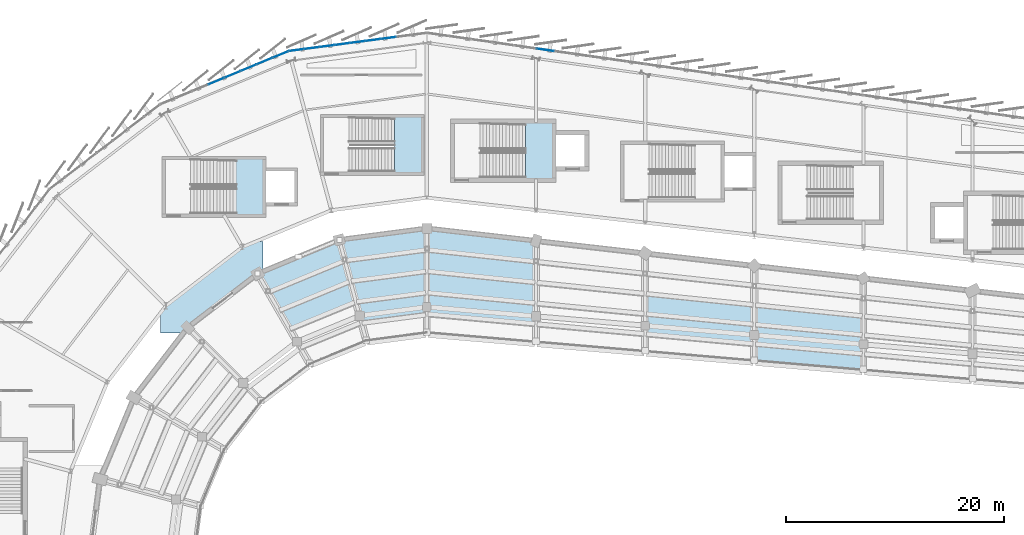
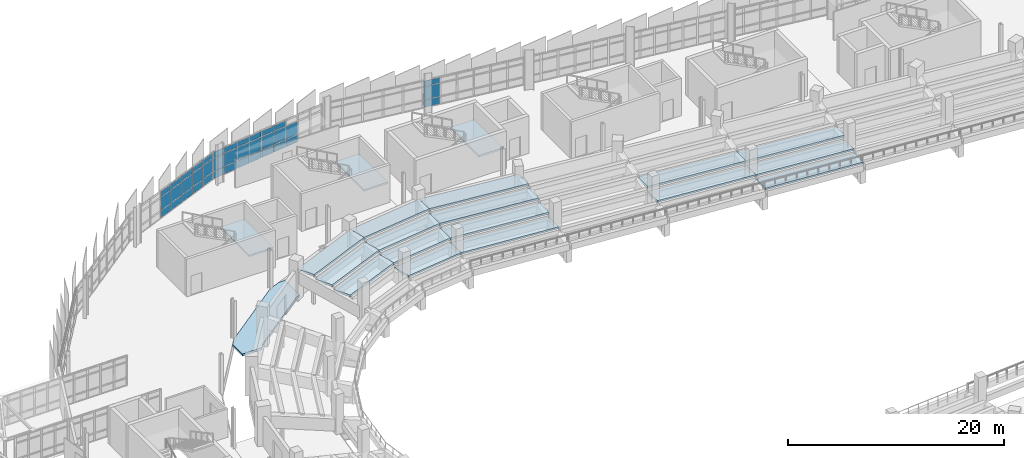
# One storey, part 85 of 120: 38 plates, 20 slabs, 6 elements without a shape of their own.
"""IFC4 building model written with IfcOpenShell, lengths in metres."""

from ifc_helpers import new_model, si_unit, direction, frame, origin, origin_2d, place, context, subcontext, project, spatial, polyline, rectangle, outline, extrude, material, layer, layer_set, type_object, element, aggregate, save


model = new_model("IFC4")

# Units and contexts
model_context = context("Model", 3, precision=1e-05, world=origin(), true_north=direction((0.0, 1.0)))
body_context = subcontext(model_context, "Body", "Model", "MODEL_VIEW")
ifc_project = project(units=[si_unit("LENGTHUNIT", "METRE"), si_unit("AREAUNIT", "SQUARE_METRE"), si_unit("VOLUMEUNIT", "CUBIC_METRE"), si_unit("PLANEANGLEUNIT", "RADIAN"), si_unit("MASSUNIT", "GRAM", prefix="KILO")], contexts=[model_context])

# Site, building, storey
site_placement = place(None, origin())
site = spatial("IfcSite", under=ifc_project, at=site_placement, CompositionType="ELEMENT")
building_placement = place(site_placement, origin())
building = spatial("IfcBuilding", under=site, at=building_placement, Name="Sohan Crest Arena", CompositionType="ELEMENT")
storey_placement = place(building_placement, frame((0.0, 0.0, 13.5)))
storey = spatial("IfcBuildingStorey", under=building, at=storey_placement, Name="L03", CompositionType="ELEMENT", Elevation=13.5)

# Curtain wall, plates
ifc_material_1 = material(Name="Thermally broken anodised aluminium", Category="aluminium")
ifc_layer_1 = layer(ifc_material_1, 0.179931640625, Name="Thermally broken anodised aluminium")
ifc_layer_set_1 = layer_set([ifc_layer_1], Name="Thermally broken anodised aluminium")
curtain_wall_type_1 = type_object("IfcCurtainWallType", Name="ARC-CW01", PredefinedType="NOTDEFINED", material=ifc_layer_set_1)
curtain_wall_1_placement = place(storey_placement, origin())
curtain_wall_1 = element("IfcCurtainWall", 1, at=curtain_wall_1_placement, inside=storey, type_object=curtain_wall_type_1, Name="Unitised curtain wall CW-080", PredefinedType="NOTDEFINED")
ifc_material_2 = material(Name="Low-E double-glazed insulated glass", Category="glass")
ifc_layer_2 = layer(ifc_material_2, 0.028076171875, Name="Low-E double-glazed insulated glass")
ifc_layer_set_2 = layer_set([ifc_layer_2], Name="Low-E double-glazed insulated glass")
plate_type_1 = type_object("IfcPlateType", Name="ARC-CNP01", PredefinedType="CURTAIN_PANEL", material=ifc_layer_set_2)
plate_1_placement = place(storey_placement, frame((94.484375, 126.437255859375, 0.06005859375), z_axis=(0.0, 0.0, 1.0), x_axis=(-0.991446828069, -0.130511252817, 0.0)))
plate_1 = element("IfcPlate", 2, at=plate_1_placement, type_object=plate_type_1, Name="CW-080 panel 3.1", PredefinedType="CURTAIN_PANEL", context=body_context, shape_type="SweptSolid", body=[
    extrude(rectangle(XDim=1.3583984375, YDim=0.028076171875, at=origin_2d()), origin(), (0.0, 0.0, 1.0), 0.81005859375),
])
plate_2_placement = place(storey_placement, frame((94.484375, 126.437255859375, 0.929931640625), z_axis=(0.0, 0.0, 1.0), x_axis=(-0.991446828069, -0.130511252817, 0.0)))
plate_2 = element("IfcPlate", 3, at=plate_2_placement, type_object=plate_type_1, Name="CW-080 panel 3.2", PredefinedType="CURTAIN_PANEL", context=body_context, shape_type="SweptSolid", body=[
    extrude(rectangle(XDim=1.3583984375, YDim=0.028076171875, at=origin_2d()), origin(), (0.0, 0.0, 1.0), 1.4599609375),
])
plate_3_placement = place(storey_placement, frame((93.078125, 126.252197265625, 0.06005859375), z_axis=(0.0, 0.0, 1.0), x_axis=(-0.991446828069, -0.130511252817, 0.0)))
plate_3 = element("IfcPlate", 4, at=plate_3_placement, type_object=plate_type_1, Name="CW-080 panel 4.1", PredefinedType="CURTAIN_PANEL", context=body_context, shape_type="SweptSolid", body=[
    extrude(rectangle(XDim=1.3583984375, YDim=0.028076171875, at=origin_2d()), origin(), (0.0, 0.0, 1.0), 0.81005859375),
])
plate_4_placement = place(storey_placement, frame((93.078125, 126.252197265625, 0.929931640625), z_axis=(0.0, 0.0, 1.0), x_axis=(-0.991446828069, -0.130511252817, 0.0)))
plate_4 = element("IfcPlate", 5, at=plate_4_placement, type_object=plate_type_1, Name="CW-080 panel 4.2", PredefinedType="CURTAIN_PANEL", context=body_context, shape_type="SweptSolid", body=[
    extrude(rectangle(XDim=1.3583984375, YDim=0.028076171875, at=origin_2d()), origin(), (0.0, 0.0, 1.0), 1.4599609375),
])
plate_5_placement = place(storey_placement, frame((93.078125, 126.252197265625, 2.44970703125), z_axis=(0.0, 0.0, 1.0), x_axis=(-0.991446828069, -0.130511252817, 0.0)))
plate_5 = element("IfcPlate", 6, at=plate_5_placement, type_object=plate_type_1, Name="CW-080 panel 4.3", PredefinedType="CURTAIN_PANEL", context=body_context, shape_type="SweptSolid", body=[
    extrude(rectangle(XDim=1.3583984375, YDim=0.028076171875, at=origin_2d()), origin(), (0.0, 0.0, 1.0), 0.610107421875),
])
plate_6_placement = place(storey_placement, frame((91.672119140625, 126.06689453125, 0.06005859375), z_axis=(0.0, 0.0, 1.0), x_axis=(-0.991446828069, -0.130511252817, 0.0)))
plate_6 = element("IfcPlate", 7, at=plate_6_placement, type_object=plate_type_1, Name="CW-080 panel 5.1", PredefinedType="CURTAIN_PANEL", context=body_context, shape_type="SweptSolid", body=[
    extrude(rectangle(XDim=1.3583984375, YDim=0.028076171875, at=origin_2d()), origin(), (0.0, 0.0, 1.0), 0.81005859375),
])
plate_7_placement = place(storey_placement, frame((91.672119140625, 126.06689453125, 0.929931640625), z_axis=(0.0, 0.0, 1.0), x_axis=(-0.991446828069, -0.130511252817, 0.0)))
plate_7 = element("IfcPlate", 8, at=plate_7_placement, type_object=plate_type_1, Name="CW-080 panel 5.2", PredefinedType="CURTAIN_PANEL", context=body_context, shape_type="SweptSolid", body=[
    extrude(rectangle(XDim=1.3583984375, YDim=0.028076171875, at=origin_2d()), origin(), (0.0, 0.0, 1.0), 1.4599609375),
])
plate_8_placement = place(storey_placement, frame((91.672119140625, 126.06689453125, 2.44970703125), z_axis=(0.0, 0.0, 1.0), x_axis=(-0.991446828069, -0.130511252817, 0.0)))
plate_8 = element("IfcPlate", 9, at=plate_8_placement, type_object=plate_type_1, Name="CW-080 panel 5.3", PredefinedType="CURTAIN_PANEL", context=body_context, shape_type="SweptSolid", body=[
    extrude(rectangle(XDim=1.3583984375, YDim=0.028076171875, at=origin_2d()), origin(), (0.0, 0.0, 1.0), 0.610107421875),
])
plate_9_placement = place(storey_placement, frame((90.265869140625, 125.8818359375, 0.06005859375), z_axis=(0.0, 0.0, 1.0), x_axis=(-0.991446828069, -0.130511252817, 0.0)))
plate_9 = element("IfcPlate", 10, at=plate_9_placement, type_object=plate_type_1, Name="CW-080 panel 6.1", PredefinedType="CURTAIN_PANEL", context=body_context, shape_type="SweptSolid", body=[
    extrude(rectangle(XDim=1.3583984375, YDim=0.028076171875, at=origin_2d()), origin(), (0.0, 0.0, 1.0), 0.81005859375),
])
plate_10_placement = place(storey_placement, frame((90.265869140625, 125.8818359375, 0.929931640625), z_axis=(0.0, 0.0, 1.0), x_axis=(-0.991446828069, -0.130511252817, 0.0)))
plate_10 = element("IfcPlate", 11, at=plate_10_placement, type_object=plate_type_1, Name="CW-080 panel 6.2", PredefinedType="CURTAIN_PANEL", context=body_context, shape_type="SweptSolid", body=[
    extrude(rectangle(XDim=1.3583984375, YDim=0.028076171875, at=origin_2d()), origin(), (0.0, 0.0, 1.0), 1.4599609375),
])
plate_11_placement = place(storey_placement, frame((90.265869140625, 125.8818359375, 2.44970703125), z_axis=(0.0, 0.0, 1.0), x_axis=(-0.991446828069, -0.130511252817, 0.0)))
plate_11 = element("IfcPlate", 12, at=plate_11_placement, type_object=plate_type_1, Name="CW-080 panel 6.3", PredefinedType="CURTAIN_PANEL", context=body_context, shape_type="SweptSolid", body=[
    extrude(rectangle(XDim=1.3583984375, YDim=0.028076171875, at=origin_2d()), origin(), (0.0, 0.0, 1.0), 0.610107421875),
])
plate_12_placement = place(storey_placement, frame((88.859619140625, 125.69677734375, 0.06005859375), z_axis=(0.0, 0.0, 1.0), x_axis=(-0.991446828069, -0.130511252817, 0.0)))
plate_12 = element("IfcPlate", 13, at=plate_12_placement, type_object=plate_type_1, Name="CW-080 panel 7.1", PredefinedType="CURTAIN_PANEL", context=body_context, shape_type="SweptSolid", body=[
    extrude(rectangle(XDim=1.3583984375, YDim=0.028076171875, at=origin_2d()), origin(), (0.0, 0.0, 1.0), 0.81005859375),
])
plate_13_placement = place(storey_placement, frame((88.859619140625, 125.69677734375, 0.929931640625), z_axis=(0.0, 0.0, 1.0), x_axis=(-0.991446828069, -0.130511252817, 0.0)))
plate_13 = element("IfcPlate", 14, at=plate_13_placement, type_object=plate_type_1, Name="CW-080 panel 7.2", PredefinedType="CURTAIN_PANEL", context=body_context, shape_type="SweptSolid", body=[
    extrude(rectangle(XDim=1.3583984375, YDim=0.028076171875, at=origin_2d()), origin(), (0.0, 0.0, 1.0), 1.4599609375),
])
plate_14_placement = place(storey_placement, frame((88.859619140625, 125.69677734375, 2.44970703125), z_axis=(0.0, 0.0, 1.0), x_axis=(-0.991446828069, -0.130511252817, 0.0)))
plate_14 = element("IfcPlate", 15, at=plate_14_placement, type_object=plate_type_1, Name="CW-080 panel 7.3", PredefinedType="CURTAIN_PANEL", context=body_context, shape_type="SweptSolid", body=[
    extrude(rectangle(XDim=1.3583984375, YDim=0.028076171875, at=origin_2d()), origin(), (0.0, 0.0, 1.0), 0.610107421875),
])
plate_15_placement = place(storey_placement, frame((87.453369140625, 125.51171875, 0.06005859375), z_axis=(0.0, 0.0, 1.0), x_axis=(-0.991446828069, -0.130511252817, 0.0)))
plate_15 = element("IfcPlate", 16, at=plate_15_placement, type_object=plate_type_1, Name="CW-080 panel 8.1", PredefinedType="CURTAIN_PANEL", context=body_context, shape_type="SweptSolid", body=[
    extrude(rectangle(XDim=1.3583984375, YDim=0.028076171875, at=origin_2d()), origin(), (0.0, 0.0, 1.0), 0.81005859375),
])
plate_16_placement = place(storey_placement, frame((87.453369140625, 125.51171875, 0.929931640625), z_axis=(0.0, 0.0, 1.0), x_axis=(-0.991446828069, -0.130511252817, 0.0)))
plate_16 = element("IfcPlate", 17, at=plate_16_placement, type_object=plate_type_1, Name="CW-080 panel 8.2", PredefinedType="CURTAIN_PANEL", context=body_context, shape_type="SweptSolid", body=[
    extrude(rectangle(XDim=1.3583984375, YDim=0.028076171875, at=origin_2d()), origin(), (0.0, 0.0, 1.0), 1.4599609375),
])
plate_17_placement = place(storey_placement, frame((87.453369140625, 125.51171875, 2.44970703125), z_axis=(0.0, 0.0, 1.0), x_axis=(-0.991446828069, -0.130511252817, 0.0)))
plate_17 = element("IfcPlate", 18, at=plate_17_placement, type_object=plate_type_1, Name="CW-080 panel 8.3", PredefinedType="CURTAIN_PANEL", context=body_context, shape_type="SweptSolid", body=[
    extrude(rectangle(XDim=1.3583984375, YDim=0.028076171875, at=origin_2d()), origin(), (0.0, 0.0, 1.0), 0.610107421875),
])
plate_18_placement = place(storey_placement, frame((86.06201171875, 125.32861328125, 0.06005859375), z_axis=(0.0, 0.0, 1.0), x_axis=(-0.991446828069, -0.130511252817, 0.0)))
plate_18 = element("IfcPlate", 19, at=plate_18_placement, type_object=plate_type_1, Name="CW-080 panel 9.1", PredefinedType="CURTAIN_PANEL", context=body_context, shape_type="SweptSolid", body=[
    extrude(rectangle(XDim=1.328369140625, YDim=0.028076171875, at=origin_2d()), origin(), (0.0, 0.0, 1.0), 0.81005859375),
])
plate_19_placement = place(storey_placement, frame((86.06201171875, 125.32861328125, 0.929931640625), z_axis=(0.0, 0.0, 1.0), x_axis=(-0.991446828069, -0.130511252817, 0.0)))
plate_19 = element("IfcPlate", 20, at=plate_19_placement, type_object=plate_type_1, Name="CW-080 panel 9.2", PredefinedType="CURTAIN_PANEL", context=body_context, shape_type="SweptSolid", body=[
    extrude(rectangle(XDim=1.328369140625, YDim=0.028076171875, at=origin_2d()), origin(), (0.0, 0.0, 1.0), 1.4599609375),
])
plate_20_placement = place(storey_placement, frame((86.06201171875, 125.32861328125, 2.44970703125), z_axis=(0.0, 0.0, 1.0), x_axis=(-0.991446828069, -0.130511252817, 0.0)))
plate_20 = element("IfcPlate", 21, at=plate_20_placement, type_object=plate_type_1, Name="CW-080 panel 9.3", PredefinedType="CURTAIN_PANEL", context=body_context, shape_type="SweptSolid", body=[
    extrude(rectangle(XDim=1.328369140625, YDim=0.028076171875, at=origin_2d()), origin(), (0.0, 0.0, 1.0), 0.610107421875),
])
aggregate(curtain_wall_1, [plate_1, plate_2, plate_3, plate_4, plate_5, plate_6, plate_7, plate_8, plate_9, plate_10, plate_11, plate_12, plate_13, plate_14, plate_15, plate_16, plate_17, plate_18, plate_19, plate_20])

ifc_layer_3 = layer(ifc_material_1, 0.219970703125, Name="Thermally broken anodised aluminium")
ifc_layer_set_3 = layer_set([ifc_layer_3], Name="Thermally broken anodised aluminium")
curtain_wall_type_2 = type_object("IfcCurtainWallType", Name="ARC-CW03", PredefinedType="NOTDEFINED", material=ifc_layer_set_3)
curtain_wall_2_placement = place(storey_placement, origin())
curtain_wall_2 = element("IfcCurtainWall", 22, at=curtain_wall_2_placement, inside=storey, type_object=curtain_wall_type_2, Name="Unitised curtain wall CW-110", PredefinedType="NOTDEFINED")
plate_21_placement = place(storey_placement, frame((108.84814453125, 125.349853515625, 0.070068359375), z_axis=(0.0, 0.0, 1.0), x_axis=(-0.989957411768, 0.141365918403, 0.0)))
plate_21 = element("IfcPlate", 23, at=plate_21_placement, type_object=plate_type_1, Name="CW-110 panel 6.1", PredefinedType="CURTAIN_PANEL", context=body_context, shape_type="SweptSolid", body=[
    extrude(rectangle(XDim=1.593505859375, YDim=0.028076171875, at=origin_2d()), origin(), (0.0, 0.0, 1.0), 0.794921875),
])
plate_22_placement = place(storey_placement, frame((108.84814453125, 125.349853515625, 0.93505859375), z_axis=(0.0, 0.0, 1.0), x_axis=(-0.989957411768, 0.141365918403, 0.0)))
plate_22 = element("IfcPlate", 24, at=plate_22_placement, type_object=plate_type_1, Name="CW-110 panel 6.2", PredefinedType="CURTAIN_PANEL", context=body_context, shape_type="SweptSolid", body=[
    extrude(rectangle(XDim=1.593505859375, YDim=0.028076171875, at=origin_2d()), origin(), (0.0, 0.0, 1.0), 1.449951171875),
])
plate_23_placement = place(storey_placement, frame((108.84814453125, 125.349853515625, 2.455078125), z_axis=(0.0, 0.0, 1.0), x_axis=(-0.989957411768, 0.141365918403, 0.0)))
plate_23 = element("IfcPlate", 25, at=plate_23_placement, type_object=plate_type_1, Name="CW-110 panel 6.3", PredefinedType="CURTAIN_PANEL", context=body_context, shape_type="SweptSolid", body=[
    extrude(rectangle(XDim=1.593505859375, YDim=0.028076171875, at=origin_2d()), origin(), (0.0, 0.0, 1.0), 0.594970703125),
])
aggregate(curtain_wall_2, [plate_21, plate_22, plate_23])

ifc_layer_4 = layer(ifc_material_1, 0.199951171875, Name="Thermally broken anodised aluminium")
ifc_layer_set_4 = layer_set([ifc_layer_4], Name="Thermally broken anodised aluminium")
curtain_wall_type_3 = type_object("IfcCurtainWallType", Name="ARC-CW02", PredefinedType="NOTDEFINED", material=ifc_layer_set_4)
curtain_wall_3_placement = place(storey_placement, origin())
curtain_wall_3 = element("IfcCurtainWall", 26, at=curtain_wall_3_placement, inside=storey, type_object=curtain_wall_type_3, Name="Unitised curtain wall CW-081", PredefinedType="NOTDEFINED")
ifc_layer_5 = layer(ifc_material_2, 0.031982421875, Name="Low-E double-glazed insulated glass")
ifc_layer_set_5 = layer_set([ifc_layer_5], Name="Low-E double-glazed insulated glass")
plate_type_2 = type_object("IfcPlateType", Name="ARC-CNP02", PredefinedType="CURTAIN_PANEL", material=ifc_layer_set_5)
plate_24_placement = place(storey_placement, frame((84.591796875, 124.92236328125, 0.06494140625), z_axis=(0.0, 0.0, 1.0), x_axis=(-0.923886034074, -0.382667735827, 0.0)))
plate_24 = element("IfcPlate", 27, at=plate_24_placement, type_object=plate_type_2, Name="CW-081 panel 1.1", PredefinedType="CURTAIN_PANEL", context=body_context, shape_type="SweptSolid", body=[
    extrude(rectangle(XDim=1.498291015625, YDim=0.031982421875, at=origin_2d()), origin(), (0.0, 0.0, 1.0), 0.802490234375),
])
plate_25_placement = place(storey_placement, frame((84.591796875, 124.92236328125, 0.932373046875), z_axis=(0.0, 0.0, 1.0), x_axis=(-0.923886034074, -0.382667735827, 0.0)))
plate_25 = element("IfcPlate", 28, at=plate_25_placement, type_object=plate_type_2, Name="CW-081 panel 1.2", PredefinedType="CURTAIN_PANEL", context=body_context, shape_type="SweptSolid", body=[
    extrude(rectangle(XDim=1.498291015625, YDim=0.031982421875, at=origin_2d()), origin(), (0.0, 0.0, 1.0), 1.455078125),
])
plate_26_placement = place(storey_placement, frame((84.591796875, 124.92236328125, 2.452392578125), z_axis=(0.0, 0.0, 1.0), x_axis=(-0.923886034074, -0.382667735827, 0.0)))
plate_26 = element("IfcPlate", 29, at=plate_26_placement, type_object=plate_type_2, Name="CW-081 panel 1.3", PredefinedType="CURTAIN_PANEL", context=body_context, shape_type="SweptSolid", body=[
    extrude(rectangle(XDim=1.498291015625, YDim=0.031982421875, at=origin_2d()), origin(), (0.0, 0.0, 1.0), 0.6025390625),
])
plate_27_placement = place(storey_placement, frame((83.132568359375, 124.318115234375, 0.06494140625), z_axis=(0.0, 0.0, 1.0), x_axis=(-0.923886034074, -0.382667735827, 0.0)))
plate_27 = element("IfcPlate", 30, at=plate_27_placement, type_object=plate_type_2, Name="CW-081 panel 2.1", PredefinedType="CURTAIN_PANEL", context=body_context, shape_type="SweptSolid", body=[
    extrude(rectangle(XDim=1.53076171875, YDim=0.031982421875, at=origin_2d()), origin(), (0.0, 0.0, 1.0), 0.802490234375),
])
plate_28_placement = place(storey_placement, frame((83.132568359375, 124.318115234375, 0.932373046875), z_axis=(0.0, 0.0, 1.0), x_axis=(-0.923886034074, -0.382667735827, 0.0)))
plate_28 = element("IfcPlate", 31, at=plate_28_placement, type_object=plate_type_2, Name="CW-081 panel 2.2", PredefinedType="CURTAIN_PANEL", context=body_context, shape_type="SweptSolid", body=[
    extrude(rectangle(XDim=1.53076171875, YDim=0.031982421875, at=origin_2d()), origin(), (0.0, 0.0, 1.0), 1.455078125),
])
plate_29_placement = place(storey_placement, frame((83.132568359375, 124.318115234375, 2.452392578125), z_axis=(0.0, 0.0, 1.0), x_axis=(-0.923886034074, -0.382667735827, 0.0)))
plate_29 = element("IfcPlate", 32, at=plate_29_placement, type_object=plate_type_2, Name="CW-081 panel 2.3", PredefinedType="CURTAIN_PANEL", context=body_context, shape_type="SweptSolid", body=[
    extrude(rectangle(XDim=1.53076171875, YDim=0.031982421875, at=origin_2d()), origin(), (0.0, 0.0, 1.0), 0.6025390625),
])
plate_30_placement = place(storey_placement, frame((81.658447265625, 123.70751953125, 0.06494140625), z_axis=(0.0, 0.0, 1.0), x_axis=(-0.923886034074, -0.382667735827, 0.0)))
plate_30 = element("IfcPlate", 33, at=plate_30_placement, type_object=plate_type_2, Name="CW-081 panel 3.1", PredefinedType="CURTAIN_PANEL", context=body_context, shape_type="SweptSolid", body=[
    extrude(rectangle(XDim=1.53076171875, YDim=0.031982421875, at=origin_2d()), origin(), (0.0, 0.0, 1.0), 0.802490234375),
])
plate_31_placement = place(storey_placement, frame((81.658447265625, 123.70751953125, 0.932373046875), z_axis=(0.0, 0.0, 1.0), x_axis=(-0.923886034074, -0.382667735827, 0.0)))
plate_31 = element("IfcPlate", 34, at=plate_31_placement, type_object=plate_type_2, Name="CW-081 panel 3.2", PredefinedType="CURTAIN_PANEL", context=body_context, shape_type="SweptSolid", body=[
    extrude(rectangle(XDim=1.53076171875, YDim=0.031982421875, at=origin_2d()), origin(), (0.0, 0.0, 1.0), 1.455078125),
])
plate_32_placement = place(storey_placement, frame((81.658447265625, 123.70751953125, 2.452392578125), z_axis=(0.0, 0.0, 1.0), x_axis=(-0.923886034074, -0.382667735827, 0.0)))
plate_32 = element("IfcPlate", 35, at=plate_32_placement, type_object=plate_type_2, Name="CW-081 panel 3.3", PredefinedType="CURTAIN_PANEL", context=body_context, shape_type="SweptSolid", body=[
    extrude(rectangle(XDim=1.53076171875, YDim=0.031982421875, at=origin_2d()), origin(), (0.0, 0.0, 1.0), 0.6025390625),
])
plate_33_placement = place(storey_placement, frame((80.18408203125, 123.096923828125, 0.06494140625), z_axis=(0.0, 0.0, 1.0), x_axis=(-0.923886034074, -0.382667735827, 0.0)))
plate_33 = element("IfcPlate", 36, at=plate_33_placement, type_object=plate_type_2, Name="CW-081 panel 4.1", PredefinedType="CURTAIN_PANEL", context=body_context, shape_type="SweptSolid", body=[
    extrude(rectangle(XDim=1.53076171875, YDim=0.031982421875, at=origin_2d()), origin(), (0.0, 0.0, 1.0), 0.802490234375),
])
plate_34_placement = place(storey_placement, frame((80.18408203125, 123.096923828125, 0.932373046875), z_axis=(0.0, 0.0, 1.0), x_axis=(-0.923886034074, -0.382667735827, 0.0)))
plate_34 = element("IfcPlate", 37, at=plate_34_placement, type_object=plate_type_2, Name="CW-081 panel 4.2", PredefinedType="CURTAIN_PANEL", context=body_context, shape_type="SweptSolid", body=[
    extrude(rectangle(XDim=1.53076171875, YDim=0.031982421875, at=origin_2d()), origin(), (0.0, 0.0, 1.0), 1.455078125),
])
plate_35_placement = place(storey_placement, frame((80.18408203125, 123.096923828125, 2.452392578125), z_axis=(0.0, 0.0, 1.0), x_axis=(-0.923886034074, -0.382667735827, 0.0)))
plate_35 = element("IfcPlate", 38, at=plate_35_placement, type_object=plate_type_2, Name="CW-081 panel 4.3", PredefinedType="CURTAIN_PANEL", context=body_context, shape_type="SweptSolid", body=[
    extrude(rectangle(XDim=1.53076171875, YDim=0.031982421875, at=origin_2d()), origin(), (0.0, 0.0, 1.0), 0.6025390625),
])
plate_36_placement = place(storey_placement, frame((78.7099609375, 122.486083984375, 0.06494140625), z_axis=(0.0, 0.0, 1.0), x_axis=(-0.923886034074, -0.382667735827, 0.0)))
plate_36 = element("IfcPlate", 39, at=plate_36_placement, type_object=plate_type_2, Name="CW-081 panel 5.1", PredefinedType="CURTAIN_PANEL", context=body_context, shape_type="SweptSolid", body=[
    extrude(rectangle(XDim=1.53076171875, YDim=0.031982421875, at=origin_2d()), origin(), (0.0, 0.0, 1.0), 0.802490234375),
])
plate_37_placement = place(storey_placement, frame((78.7099609375, 122.486083984375, 0.932373046875), z_axis=(0.0, 0.0, 1.0), x_axis=(-0.923886034074, -0.382667735827, 0.0)))
plate_37 = element("IfcPlate", 40, at=plate_37_placement, type_object=plate_type_2, Name="CW-081 panel 5.2", PredefinedType="CURTAIN_PANEL", context=body_context, shape_type="SweptSolid", body=[
    extrude(rectangle(XDim=1.53076171875, YDim=0.031982421875, at=origin_2d()), origin(), (0.0, 0.0, 1.0), 1.455078125),
])
plate_38_placement = place(storey_placement, frame((78.7099609375, 122.486083984375, 2.452392578125), z_axis=(0.0, 0.0, 1.0), x_axis=(-0.923886034074, -0.382667735827, 0.0)))
plate_38 = element("IfcPlate", 41, at=plate_38_placement, type_object=plate_type_2, Name="CW-081 panel 5.3", PredefinedType="CURTAIN_PANEL", context=body_context, shape_type="SweptSolid", body=[
    extrude(rectangle(XDim=1.53076171875, YDim=0.031982421875, at=origin_2d()), origin(), (0.0, 0.0, 1.0), 0.6025390625),
])
aggregate(curtain_wall_3, [plate_24, plate_25, plate_26, plate_27, plate_28, plate_29, plate_30, plate_31, plate_32, plate_33, plate_34, plate_35, plate_36, plate_37, plate_38])

# Slab
ifc_material_3 = material(Name="Concrete C40/50", Category="concrete")
ifc_layer_6 = layer(ifc_material_3, 0.25, Name="Concrete C40/50")
ifc_layer_set_6 = layer_set([ifc_layer_6], Name="Concrete C40/50")
slab_type_1 = type_object("IfcSlabType", Name="SL-FLR3", PredefinedType="FLOOR", material=ifc_layer_set_6)
slab_1_placement = place(storey_placement, frame((0.0, 0.0, -0.25)))
element("IfcSlab", 42, at=slab_1_placement, inside=storey, type_object=slab_type_1, Name="Seismic joint threshold slab L03 SL-TH-L03-02", PredefinedType="FLOOR", context=body_context, shape_type="SweptSolid", body=[
    extrude(outline(polyline([(74.10009765625, 101.89990234375), (81.10009765625, 107.27197265625), (82.306884765625, 107.77197265625), (83.0, 107.77197265625), (83.0, 105.053955078125), (82.5, 104.846923828125), (76.080078125, 99.919921875), (75.696044921875, 99.419921875), (73.60009765625, 99.419921875), (73.60009765625, 101.248046875), (74.10009765625, 101.89990234375)])), origin(), (0.0, 0.0, 1.0), 0.25),
])

# Stair, slab
stair_type_1 = type_object("IfcStairType", Name="ST-450", PredefinedType="TWO_STRAIGHT_RUN_STAIR", material=ifc_material_3)
stair_1_placement = place(storey_placement, origin())
stair_1 = element("IfcStair", 43, at=stair_1_placement, inside=storey, type_object=stair_type_1, Name="Protected exit stair ST04-L03", PredefinedType="TWO_STRAIGHT_RUN_STAIR")
ifc_layer_7 = layer(ifc_material_3, 0.199951171875, Name="Concrete C40/50")
ifc_layer_set_7 = layer_set([ifc_layer_7], Name="Concrete C40/50")
slab_type_2 = type_object("IfcSlabType", Name="SL-LND1", PredefinedType="LANDING", material=ifc_layer_set_7)
slab_2_placement = place(storey_placement, frame((0.0, 0.0, 2.050048828125)))
slab_2 = element("IfcSlab", 44, at=slab_2_placement, type_object=slab_type_2, Name="ST04-L03 landing 1", PredefinedType="LANDING", context=body_context, shape_type="SweptSolid", body=[
    extrude(outline(polyline([(80.530029296875, 110.14990234375), (83.10009765625, 110.14990234375), (83.10009765625, 115.449951171875), (80.530029296875, 115.449951171875), (80.530029296875, 110.14990234375)])), origin(), (0.0, 0.0, 1.0), 0.199951171875),
])
aggregate(stair_1, [slab_2])

stair_2_placement = place(storey_placement, origin())
stair_2 = element("IfcStair", 45, at=stair_2_placement, inside=storey, type_object=stair_type_1, Name="Protected exit stair ST06-L03", PredefinedType="TWO_STRAIGHT_RUN_STAIR")
slab_3_placement = place(storey_placement, frame((0.0, 0.0, 2.050048828125)))
slab_3 = element("IfcSlab", 46, at=slab_3_placement, type_object=slab_type_2, Name="ST06-L03 landing 1", PredefinedType="LANDING", context=body_context, shape_type="SweptSolid", body=[
    extrude(outline(polyline([(107.030029296875, 113.449951171875), (109.60009765625, 113.449951171875), (109.60009765625, 118.75), (107.030029296875, 118.75), (107.030029296875, 113.449951171875)])), origin(), (0.0, 0.0, 1.0), 0.199951171875),
])
aggregate(stair_2, [slab_3])

stair_type_2 = type_object("IfcStairType", Name="ST-450W", PredefinedType="TWO_STRAIGHT_RUN_STAIR", material=ifc_material_3)
stair_3_placement = place(storey_placement, origin())
stair_3 = element("IfcStair", 47, at=stair_3_placement, inside=storey, type_object=stair_type_2, Name="Protected exit stair ST20-L03", PredefinedType="TWO_STRAIGHT_RUN_STAIR")
slab_4_placement = place(storey_placement, frame((0.0, 0.0, 2.050048828125)))
slab_4 = element("IfcSlab", 48, at=slab_4_placement, type_object=slab_type_2, Name="ST20-L03 landing 1", PredefinedType="LANDING", context=body_context, shape_type="SweptSolid", body=[
    extrude(outline(polyline([(95.030029296875, 113.989990234375), (97.60009765625, 113.989990234375), (97.60009765625, 119.2900390625), (95.030029296875, 119.2900390625), (95.030029296875, 113.989990234375)])), origin(), (0.0, 0.0, 1.0), 0.199951171875),
])
aggregate(stair_3, [slab_4])

# Slabs
ifc_material_4 = material(Name="Precast concrete C50/60", Category="concrete")
ifc_layer_8 = layer(ifc_material_4, 0.205078125, Name="Precast concrete C50/60")
ifc_layer_set_8 = layer_set([ifc_layer_8], Name="Precast concrete C50/60")
slab_type_3 = type_object("IfcSlabType", Name="SL-TIER2", PredefinedType="USERDEFINED", material=ifc_layer_set_8)
slab_5_placement = place(storey_placement, frame((0.0, 0.0, 1.6708984375)))
element("IfcSlab", 49, at=slab_5_placement, inside=storey, type_object=slab_type_3, Name="Upper cantilevered precast seating tier ST-UPP-007", ObjectType="SEATING TIER", PredefinedType="USERDEFINED", context=body_context, shape_type="SweptSolid", body=[
    extrude(outline(polyline([(98.0, 101.159912109375), (91.944091796875, 100.37109375), (91.471923828125, 102.18798828125), (98.0, 103.0419921875), (98.0, 101.159912109375)])), origin(), (0.0, 0.0, 1.0), 0.205078125),
])
slab_6_placement = place(storey_placement, frame((0.0, 0.0, 1.2109375)))
element("IfcSlab", 50, at=slab_6_placement, inside=storey, type_object=slab_type_3, Name="Upper cantilevered precast seating tier ST-UPP-231", ObjectType="SEATING TIER", PredefinedType="USERDEFINED", context=body_context, shape_type="SweptSolid", body=[
    extrude(outline(polyline([(138.0, 95.77099609375), (128.0, 96.62890625), (128.0, 98.345947265625), (138.0, 97.43310546875), (138.0, 95.77099609375)])), origin(), (0.0, 0.0, 1.0), 0.205078125),
])
slab_7_placement = place(storey_placement, frame((0.0, 0.0, 1.6708984375)))
element("IfcSlab", 51, at=slab_7_placement, inside=storey, type_object=slab_type_3, Name="Upper cantilevered precast seating tier ST-UPP-232", ObjectType="SEATING TIER", PredefinedType="USERDEFINED", context=body_context, shape_type="SweptSolid", body=[
    extrude(outline(polyline([(138.0, 97.5029296875), (128.0, 98.4169921875), (128.0, 100.134033203125), (138.0, 99.1650390625), (138.0, 97.5029296875)])), origin(), (0.0, 0.0, 1.0), 0.205078125),
])
slab_8_placement = place(storey_placement, frame((0.0, 0.0, 1.6708984375)))
element("IfcSlab", 52, at=slab_8_placement, inside=storey, type_object=slab_type_3, Name="Upper cantilevered precast seating tier ST-UPP-242", ObjectType="SEATING TIER", PredefinedType="USERDEFINED", context=body_context, shape_type="SweptSolid", body=[
    extrude(outline(polyline([(128.0, 98.4169921875), (118.0, 99.33203125), (118.0, 101.10302734375), (128.0, 100.134033203125), (128.0, 98.4169921875)])), origin(), (0.0, 0.0, 1.0), 0.205078125),
])
slab_9_placement = place(storey_placement, frame((0.0, 0.0, 1.6708984375)))
element("IfcSlab", 53, at=slab_9_placement, inside=storey, type_object=slab_type_3, Name="Upper cantilevered precast seating tier ST-UPP-262", ObjectType="SEATING TIER", PredefinedType="USERDEFINED", context=body_context, shape_type="SweptSolid", body=[
    extrude(outline(polyline([(108.0, 100.24609375), (98.0, 101.159912109375), (98.0, 103.0419921875), (108.0, 102.072021484375), (108.0, 100.24609375)])), origin(), (0.0, 0.0, 1.0), 0.205078125),
])
ifc_layer_9 = layer(ifc_material_4, 0.235107421875, Name="Precast concrete C50/60")
ifc_layer_set_9 = layer_set([ifc_layer_9], Name="Precast concrete C50/60")
slab_type_4 = type_object("IfcSlabType", Name="SL-TIER3", PredefinedType="USERDEFINED", material=ifc_layer_set_9)
slab_10_placement = place(storey_placement, frame((0.0, 0.0, 2.131103515625)))
element("IfcSlab", 54, at=slab_10_placement, inside=storey, type_object=slab_type_4, Name="Upper cantilevered precast seating tier ST-UPP-008", ObjectType="SEATING TIER", PredefinedType="USERDEFINED", context=body_context, shape_type="SweptSolid", body=[
    extrude(outline(polyline([(98.0, 103.1201171875), (91.451904296875, 102.263916015625), (90.97998046875, 104.08203125), (98.0, 105.001953125), (98.0, 103.1201171875)])), origin(), (0.0, 0.0, 1.0), 0.23486328125),
])
slab_11_placement = place(storey_placement, frame((0.0, 0.0, 2.591064453125)))
element("IfcSlab", 55, at=slab_11_placement, inside=storey, type_object=slab_type_4, Name="Upper cantilevered precast seating tier ST-UPP-009", ObjectType="SEATING TIER", PredefinedType="USERDEFINED", context=body_context, shape_type="SweptSolid", body=[
    extrude(outline(polyline([(98.0, 105.080078125), (90.9599609375, 104.156982421875), (90.488037109375, 105.97509765625), (98.0, 106.9619140625), (98.0, 105.080078125)])), origin(), (0.0, 0.0, 1.0), 0.23486328125),
])
slab_12_placement = place(storey_placement, frame((0.0, 0.0, 3.051025390625)))
element("IfcSlab", 56, at=slab_12_placement, inside=storey, type_object=slab_type_4, Name="Upper cantilevered precast seating tier ST-UPP-010", ObjectType="SEATING TIER", PredefinedType="USERDEFINED", context=body_context, shape_type="SweptSolid", body=[
    extrude(outline(polyline([(98.0, 107.0400390625), (90.468994140625, 106.051025390625), (89.9970703125, 107.867919921875), (98.0, 108.922119140625), (98.0, 107.0400390625)])), origin(), (0.0, 0.0, 1.0), 0.23486328125),
])
slab_13_placement = place(storey_placement, frame((0.0, 0.0, 2.131103515625)))
element("IfcSlab", 57, at=slab_13_placement, inside=storey, type_object=slab_type_4, Name="Upper cantilevered precast seating tier ST-UPP-018", ObjectType="SEATING TIER", PredefinedType="USERDEFINED", context=body_context, shape_type="SweptSolid", body=[
    extrude(outline(polyline([(91.451904296875, 102.263916015625), (85.35009765625, 99.75390625), (84.43798828125, 101.384033203125), (90.97998046875, 104.08203125), (91.451904296875, 102.263916015625)])), origin(), (0.0, 0.0, 1.0), 0.23486328125),
])
slab_14_placement = place(storey_placement, frame((0.0, 0.0, 2.591064453125)))
element("IfcSlab", 58, at=slab_14_placement, inside=storey, type_object=slab_type_4, Name="Upper cantilevered precast seating tier ST-UPP-019", ObjectType="SEATING TIER", PredefinedType="USERDEFINED", context=body_context, shape_type="SweptSolid", body=[
    extrude(outline(polyline([(90.9599609375, 104.156982421875), (84.39990234375, 101.451904296875), (83.488037109375, 103.08203125), (90.488037109375, 105.97509765625), (90.9599609375, 104.156982421875)])), origin(), (0.0, 0.0, 1.0), 0.23486328125),
])
slab_15_placement = place(storey_placement, frame((0.0, 0.0, 3.051025390625)))
element("IfcSlab", 59, at=slab_15_placement, inside=storey, type_object=slab_type_4, Name="Upper cantilevered precast seating tier ST-UPP-020", ObjectType="SEATING TIER", PredefinedType="USERDEFINED", context=body_context, shape_type="SweptSolid", body=[
    extrude(outline(polyline([(90.468994140625, 106.051025390625), (83.449951171875, 103.14892578125), (82.5380859375, 104.779052734375), (89.9970703125, 107.867919921875), (90.468994140625, 106.051025390625)])), origin(), (0.0, 0.0, 1.0), 0.23486328125),
])
slab_16_placement = place(storey_placement, frame((0.0, 0.0, 2.131103515625)))
element("IfcSlab", 60, at=slab_16_placement, inside=storey, type_object=slab_type_4, Name="Upper cantilevered precast seating tier ST-UPP-233", ObjectType="SEATING TIER", PredefinedType="USERDEFINED", context=body_context, shape_type="SweptSolid", body=[
    extrude(outline(polyline([(138.0, 99.23388671875), (128.0, 100.2060546875), (128.0, 101.923095703125), (138.0, 100.89697265625), (138.0, 99.23388671875)])), origin(), (0.0, 0.0, 1.0), 0.23486328125),
])
slab_17_placement = place(storey_placement, frame((0.0, 0.0, 2.131103515625)))
element("IfcSlab", 61, at=slab_17_placement, inside=storey, type_object=slab_type_4, Name="Upper cantilevered precast seating tier ST-UPP-243", ObjectType="SEATING TIER", PredefinedType="USERDEFINED", context=body_context, shape_type="SweptSolid", body=[
    extrude(outline(polyline([(128.0, 100.2060546875), (118.0, 101.177001953125), (118.0, 102.948974609375), (128.0, 101.923095703125), (128.0, 100.2060546875)])), origin(), (0.0, 0.0, 1.0), 0.23486328125),
])
slab_18_placement = place(storey_placement, frame((0.0, 0.0, 2.131103515625)))
element("IfcSlab", 62, at=slab_18_placement, inside=storey, type_object=slab_type_4, Name="Upper cantilevered precast seating tier ST-UPP-263", ObjectType="SEATING TIER", PredefinedType="USERDEFINED", context=body_context, shape_type="SweptSolid", body=[
    extrude(outline(polyline([(108.0, 102.14892578125), (98.0, 103.1201171875), (98.0, 105.001953125), (108.0, 103.97509765625), (108.0, 102.14892578125)])), origin(), (0.0, 0.0, 1.0), 0.23486328125),
])
slab_19_placement = place(storey_placement, frame((0.0, 0.0, 2.591064453125)))
element("IfcSlab", 63, at=slab_19_placement, inside=storey, type_object=slab_type_4, Name="Upper cantilevered precast seating tier ST-UPP-264", ObjectType="SEATING TIER", PredefinedType="USERDEFINED", context=body_context, shape_type="SweptSolid", body=[
    extrude(outline(polyline([(108.0, 104.051025390625), (98.0, 105.080078125), (98.0, 106.9619140625), (108.0, 105.8779296875), (108.0, 104.051025390625)])), origin(), (0.0, 0.0, 1.0), 0.23486328125),
])
slab_20_placement = place(storey_placement, frame((0.0, 0.0, 3.051025390625)))
element("IfcSlab", 64, at=slab_20_placement, inside=storey, type_object=slab_type_4, Name="Upper cantilevered precast seating tier ST-UPP-265", ObjectType="SEATING TIER", PredefinedType="USERDEFINED", context=body_context, shape_type="SweptSolid", body=[
    extrude(outline(polyline([(108.0, 105.9541015625), (98.0, 107.0400390625), (98.0, 108.922119140625), (108.0, 107.781005859375), (108.0, 105.9541015625)])), origin(), (0.0, 0.0, 1.0), 0.23486328125),
])

save(model, "model.ifc")
